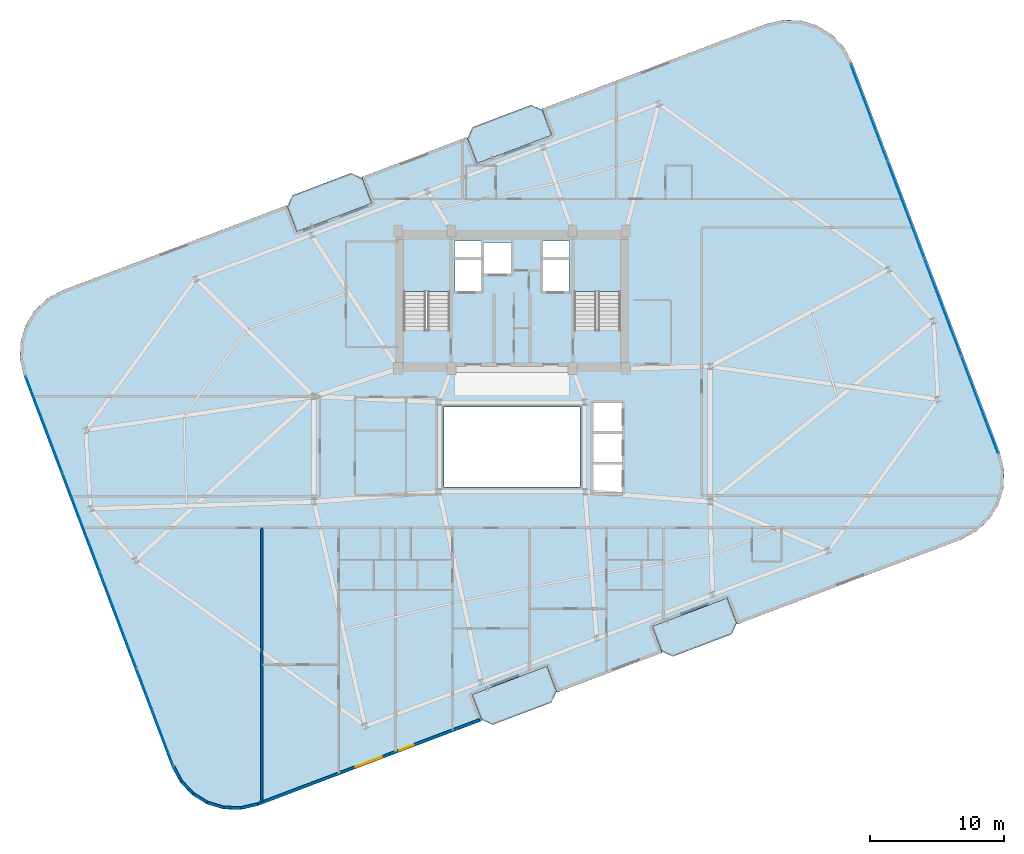
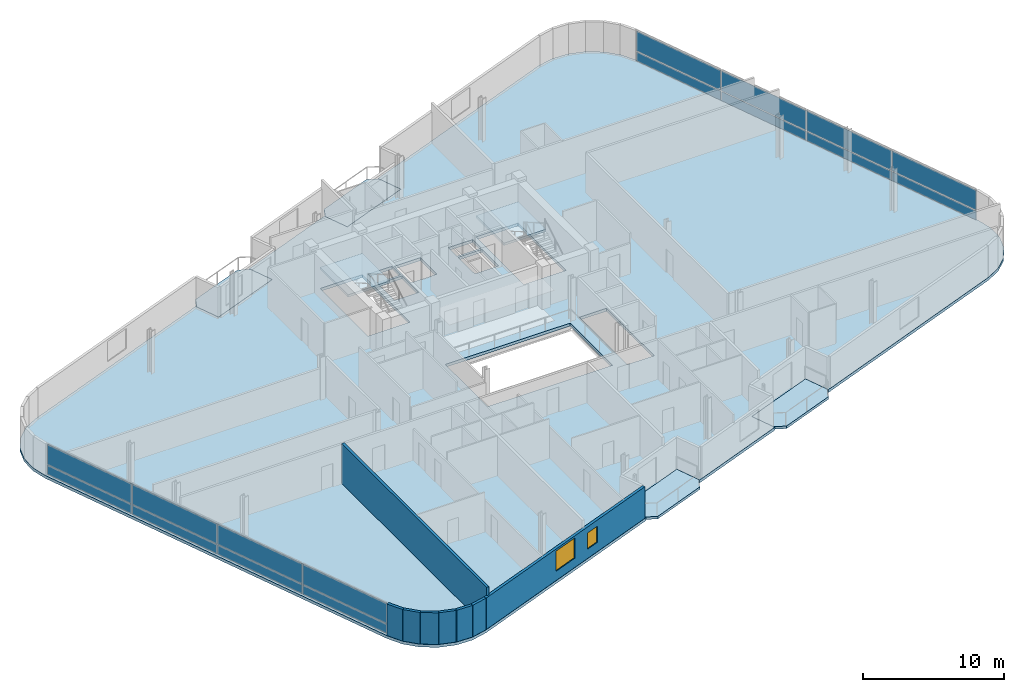
# One storey, part 13 of 20: 16 plates, 8 walls, 7 slabs, 2 windows, 2 openings, 4 elements without a shape of their own.
"""IFC4 building model written with IfcOpenShell, lengths in metres."""

from ifc_helpers import new_model, si_unit, direction, frame, frame_2d, origin, origin_2d, place, context, subcontext, project, spatial, polyline, rectangle, outline, extrude, source, transform, mapped, material, layer, layer_set, type_object, element, fill, aggregate, save


model = new_model("IFC4")

# Units and contexts
model_context = context("Model", 3, precision=1e-05, world=origin(), true_north=direction((0.0, 1.0)))
body_context = subcontext(model_context, "Body", "Model", "MODEL_VIEW")
ifc_project = project(units=[si_unit("LENGTHUNIT", "METRE"), si_unit("AREAUNIT", "SQUARE_METRE"), si_unit("VOLUMEUNIT", "CUBIC_METRE"), si_unit("PLANEANGLEUNIT", "RADIAN"), si_unit("MASSUNIT", "GRAM", prefix="KILO")], contexts=[model_context])

# Site, building, storey
site_placement = place(None, origin())
site = spatial("IfcSite", under=ifc_project, at=site_placement, CompositionType="ELEMENT")
building_placement = place(site_placement, origin())
building = spatial("IfcBuilding", under=site, at=building_placement, Name="Varnelok Gate Tower", CompositionType="ELEMENT")
storey_placement = place(building_placement, frame((0.0, 0.0, 216.39990234375)))
storey = spatial("IfcBuildingStorey", under=building, at=storey_placement, Name="L55", CompositionType="ELEMENT", Elevation=216.39990234375)

# Slabs
ifc_material_1 = material(Name="Concrete C45/55", Category="concrete")
ifc_layer_1 = layer(ifc_material_1, 0.219970703125)
ifc_layer_set_1 = layer_set([ifc_layer_1], Name="Concrete C45/55")
slab_type_1 = type_object("IfcSlabType", Name="SLB-BALC-220", PredefinedType="FLOOR", material=ifc_layer_set_1)
slab_1_placement = place(storey_placement, frame((0.0, 0.0, -0.219970703125)))
element("IfcSlab", 1, at=slab_1_placement, inside=storey, type_object=slab_type_1, Name="L55 South Hollow Balcony 1", PredefinedType="FLOOR", context=body_context, shape_type="SweptSolid", body=[
    extrude(outline(polyline([(36.9189453125, 2.5166015625), (37.757080078125, 2.138916015625), (42.152587890625, 3.802978515625), (42.530517578125, 4.640869140625), (41.822265625, 6.51123046875), (36.2109375, 4.386962890625), (36.9189453125, 2.5166015625)])), origin(), (0.0, 0.0, 1.0), 0.219970703125),
])
slab_2_placement = place(storey_placement, frame((0.0, 0.0, -0.219970703125)))
element("IfcSlab", 2, at=slab_2_placement, inside=storey, type_object=slab_type_1, Name="L55 South Hollow Balcony 2", PredefinedType="FLOOR", context=body_context, shape_type="SweptSolid", body=[
    extrude(outline(polyline([(50.38623046875, 7.614990234375), (51.22412109375, 7.2373046875), (55.619873046875, 8.9013671875), (55.99755859375, 9.739501953125), (55.289306640625, 11.60986328125), (49.677978515625, 9.485595703125), (50.38623046875, 7.614990234375)])), origin(), (0.0, 0.0, 1.0), 0.219970703125),
])
slab_3_placement = place(storey_placement, frame((0.0, 0.0, -0.219970703125)))
element("IfcSlab", 3, at=slab_3_placement, inside=storey, type_object=slab_type_1, Name="L55 North Hollow Balcony 1", PredefinedType="FLOOR", context=body_context, shape_type="SweptSolid", body=[
    extrude(outline(polyline([(23.110595703125, 38.990234375), (28.721923828125, 41.114501953125), (28.013916015625, 42.985107421875), (27.17578125, 43.36279296875), (22.7802734375, 41.698486328125), (22.402587890625, 40.860595703125), (23.110595703125, 38.990234375)])), origin(), (0.0, 0.0, 1.0), 0.219970703125),
])
slab_4_placement = place(storey_placement, frame((0.0, 0.0, -0.219970703125)))
element("IfcSlab", 4, at=slab_4_placement, inside=storey, type_object=slab_type_1, Name="L55 North Hollow Balcony 2", PredefinedType="FLOOR", context=body_context, shape_type="SweptSolid", body=[
    extrude(outline(polyline([(36.577880859375, 44.088623046875), (42.189208984375, 46.212890625), (41.48095703125, 48.08349609375), (40.642822265625, 48.461181640625), (36.247314453125, 46.797119140625), (35.86962890625, 45.958984375), (36.577880859375, 44.088623046875)])), origin(), (0.0, 0.0, 1.0), 0.219970703125),
])

# Stair, slab
ifc_material_2 = material(Name="Concrete C50/60", Category="concrete")
stair_type = type_object("IfcStairType", Name="STR-CORE-1650", PredefinedType="HALF_TURN_STAIR", material=ifc_material_2)
stair_1_placement = place(storey_placement, origin())
stair_1 = element("IfcStair", 5, at=stair_1_placement, inside=storey, type_object=stair_type, Name="L55 Exit Stair ST-1", PredefinedType="HALF_TURN_STAIR")
ifc_layer_2 = layer(ifc_material_1, 0.199951171875)
ifc_layer_set_2 = layer_set([ifc_layer_2], Name="Concrete C45/55")
slab_type_2 = type_object("IfcSlabType", Name="SLB-LAND-200", PredefinedType="LANDING", material=ifc_layer_set_2)
slab_5_placement = place(storey_placement, frame((0.0, 0.0, 1.650146484375)))
slab_5 = element("IfcSlab", 6, at=slab_5_placement, type_object=slab_type_2, Name="ST-1 landing 1", PredefinedType="LANDING", context=body_context, shape_type="SweptSolid", body=[
    extrude(outline(polyline([(34.550048828125, 34.5), (34.550048828125, 38.449951171875), (31.10009765625, 38.449951171875), (31.10009765625, 34.5), (34.550048828125, 34.5)])), origin(), (0.0, 0.0, 1.0), 0.199951171875),
])
aggregate(stair_1, [slab_5])

stair_2_placement = place(storey_placement, origin())
stair_2 = element("IfcStair", 7, at=stair_2_placement, inside=storey, type_object=stair_type, Name="L55 Exit Stair ST-2", PredefinedType="HALF_TURN_STAIR")
slab_6_placement = place(storey_placement, frame((0.0, 0.0, 1.650146484375)))
slab_6 = element("IfcSlab", 8, at=slab_6_placement, type_object=slab_type_2, Name="ST-2 landing 1", PredefinedType="LANDING", context=body_context, shape_type="SweptSolid", body=[
    extrude(outline(polyline([(47.300048828125, 34.5), (47.300048828125, 38.449951171875), (43.85009765625, 38.449951171875), (43.85009765625, 34.5), (47.300048828125, 34.5)])), origin(), (0.0, 0.0, 1.0), 0.199951171875),
])
aggregate(stair_2, [slab_6])

# Slab
ifc_layer_3 = layer(ifc_material_2, 0.25)
ifc_layer_set_3 = layer_set([ifc_layer_3], Name="Concrete C50/60")
slab_type_3 = type_object("IfcSlabType", Name="SLB-TYP-250", PredefinedType="FLOOR", material=ifc_layer_set_3)
slab_7_placement = place(storey_placement, frame((0.0, 0.0, -0.25)))
element("IfcSlab", 9, at=slab_7_placement, inside=storey, type_object=slab_type_3, Name="L55 Structural Floor Slab", PredefinedType="FLOOR", context=body_context, shape_type="SweptSolid", body=[
    extrude(outline(polyline([(13.767578125, -1.0087890625), (14.385009765625, -2.158935546875), (15.279296875, -3.10986328125), (16.388916015625, -3.796875), (17.638671875, -4.17333984375), (18.943359375, -4.213623046875), (20.214111328125, -3.914794921875), (29.8779296875, -0.256103515625), (36.954345703125, 2.423095703125), (36.2109375, 4.386962890625), (41.822265625, 6.51123046875), (42.56591796875, 4.54736328125), (50.421630859375, 7.521484375), (49.677978515625, 9.485595703125), (55.289306640625, 11.60986328125), (56.032958984375, 9.64599609375), (63.109619140625, 12.324951171875), (72.7734375, 15.983642578125), (73.92333984375, 16.60107421875), (74.874267578125, 17.495361328125), (75.561279296875, 18.60498046875), (75.93798828125, 19.854736328125), (75.97802734375, 21.159423828125), (75.67919921875, 22.429931640625), (64.632568359375, 51.60888671875), (64.014892578125, 52.7587890625), (63.120849609375, 53.709716796875), (62.010986328125, 54.39697265625), (60.76123046875, 54.7734375), (59.45654296875, 54.813720703125), (58.18603515625, 54.5146484375), (48.522216796875, 50.856201171875), (41.445556640625, 48.177001953125), (42.189208984375, 46.212890625), (36.577880859375, 44.088623046875), (35.834228515625, 46.052490234375), (27.978515625, 43.07861328125), (28.721923828125, 41.114501953125), (23.110595703125, 38.990234375), (22.3671875, 40.9541015625), (15.29052734375, 38.275146484375), (5.626708984375, 34.616455078125), (4.4765625, 33.998779296875), (3.525634765625, 33.104736328125), (2.838623046875, 31.9951171875), (2.462158203125, 30.7451171875), (2.422119140625, 29.440673828125), (2.720703125, 28.169921875), (13.767578125, -1.0087890625)]), holes=[polyline([(34.550048828125, 31.679931640625), (34.550048828125, 38.449951171875), (31.10009765625, 38.449951171875), (31.10009765625, 31.679931640625), (34.550048828125, 31.679931640625)]), polyline([(47.300048828125, 31.679931640625), (47.300048828125, 38.449951171875), (43.85009765625, 38.449951171875), (43.85009765625, 31.679931640625), (47.300048828125, 31.679931640625)]), polyline([(34.949951171875, 34.550048828125), (36.89990234375, 34.550048828125), (36.89990234375, 36.89990234375), (34.949951171875, 36.89990234375), (34.949951171875, 34.550048828125)]), polyline([(41.5, 34.550048828125), (43.449951171875, 34.550048828125), (43.449951171875, 36.89990234375), (41.5, 36.89990234375), (41.5, 34.550048828125)]), polyline([(37.050048828125, 35.85009765625), (39.14990234375, 35.85009765625), (39.14990234375, 38.199951171875), (37.050048828125, 38.199951171875), (37.050048828125, 35.85009765625)]), polyline([(45.25, 19.449951171875), (47.449951171875, 19.449951171875), (47.449951171875, 26.199951171875), (45.25, 26.199951171875), (45.25, 19.449951171875)]), polyline([(34.919921875, 37.080078125), (36.89990234375, 37.080078125), (36.89990234375, 38.280029296875), (34.919921875, 38.280029296875), (34.919921875, 37.080078125)]), polyline([(41.5, 37.080078125), (43.47998046875, 37.080078125), (43.47998046875, 38.280029296875), (41.5, 38.280029296875), (41.5, 37.080078125)]), polyline([(34.10009765625, 19.89990234375), (44.300048828125, 19.89990234375), (44.300048828125, 25.89990234375), (34.10009765625, 25.89990234375), (34.10009765625, 19.89990234375)])]), origin(), (0.0, 0.0, 1.0), 0.25),
])

# Curtain wall, plates
ifc_material_3 = material(Name="Anodized Aluminum Alloy 6063-T6", Category="aluminium")
ifc_layer_4 = layer(ifc_material_3, 0.179931640625)
ifc_layer_set_4 = layer_set([ifc_layer_4], Name="Anodized Aluminum Alloy 6063-T6")
curtain_wall_type = type_object("IfcCurtainWallType", Name="CW4-RESIDENCE-VISION", PredefinedType="USERDEFINED", material=ifc_layer_set_4)
curtain_wall_1_placement = place(storey_placement, origin())
curtain_wall_1 = element("IfcCurtainWall", 10, at=curtain_wall_1_placement, inside=storey, type_object=curtain_wall_type, Name="L55 West End Vision Curtain Wall", ObjectType="UNITISED CURTAIN WALL", PredefinedType="USERDEFINED")
ifc_material_4 = material(Name="Low-E Laminated Double Glazing IGU", Category="glass")
ifc_layer_5 = layer(ifc_material_4, 0.035888671875)
ifc_layer_set_5 = layer_set([ifc_layer_5], Name="Low-E Laminated Double Glazing IGU")
plate_type = type_object("IfcPlateType", Name="CW-PNL-IGU36", PredefinedType="CURTAIN_PANEL", material=ifc_layer_set_5)
shared_shape_1 = source(origin(), body_context, "Body", "SweptSolid", [
    extrude(rectangle(XDim=7.6875, YDim=0.035888671875, at=origin_2d()), origin(), (0.0, 0.0, 1.0), 0.78759765625),
])
plate_1_placement = place(storey_placement, frame((12.510986328125, 2.70556640625, 0.074951171875), z_axis=(0.0, 0.0, 1.0), x_axis=(-0.354063042079, 0.935221557832, 0.0)))
plate_1 = element("IfcPlate", 11, at=plate_1_placement, type_object=plate_type, Name="CW4 panel 1.1", PredefinedType="CURTAIN_PANEL", context=body_context, shape_type="MappedRepresentation", body=[
    mapped(shared_shape_1, transform((0.0, 0.0, 0.0), scale=1.0)),
])
plate_2_placement = place(storey_placement, frame((4.2392578125, 24.5546875, 0.074951171875), z_axis=(0.0, 0.0, 1.0), x_axis=(-0.354063042079, 0.935221557832, 0.0)))
plate_2 = element("IfcPlate", 12, at=plate_2_placement, type_object=plate_type, Name="CW4 panel 4.1", PredefinedType="CURTAIN_PANEL", context=body_context, shape_type="MappedRepresentation", body=[
    mapped(shared_shape_1, transform((0.0, 0.0, 0.0), scale=1.0)),
])

curtain_wall_2_placement = place(storey_placement, origin())
curtain_wall_2 = element("IfcCurtainWall", 13, at=curtain_wall_2_placement, inside=storey, type_object=curtain_wall_type, Name="L55 East End Vision Curtain Wall", ObjectType="UNITISED CURTAIN WALL", PredefinedType="USERDEFINED")
plate_3_placement = place(storey_placement, frame((65.888916015625, 47.89453125, 0.074951171875), z_axis=(0.0, 0.0, 1.0), x_axis=(0.354063042079, -0.935221557832, 0.0)))
plate_3 = element("IfcPlate", 14, at=plate_3_placement, type_object=plate_type, Name="CW4 panel 1.1", PredefinedType="CURTAIN_PANEL", context=body_context, shape_type="MappedRepresentation", body=[
    mapped(shared_shape_1, transform((0.0, 0.0, 0.0), scale=1.0)),
])
plate_4_placement = place(storey_placement, frame((74.160888671875, 26.04541015625, 0.074951171875), z_axis=(0.0, 0.0, 1.0), x_axis=(0.354063042079, -0.935221557832, 0.0)))
plate_4 = element("IfcPlate", 15, at=plate_4_placement, type_object=plate_type, Name="CW4 panel 4.1", PredefinedType="CURTAIN_PANEL", context=body_context, shape_type="MappedRepresentation", body=[
    mapped(shared_shape_1, transform((0.0, 0.0, 0.0), scale=1.0)),
])

# Plate
shared_shape_2 = source(origin(), body_context, "Body", "SweptSolid", [
    extrude(rectangle(XDim=7.6875, YDim=0.035888671875, at=origin_2d()), origin(), (0.0, 0.0, 1.0), 1.717529296875),
])
plate_5_placement = place(storey_placement, frame((12.510986328125, 2.70556640625, 0.9375), z_axis=(0.0, 0.0, 1.0), x_axis=(-0.354063042079, 0.935221557832, 0.0)))
plate_5 = element("IfcPlate", 16, at=plate_5_placement, type_object=plate_type, Name="CW4 panel 1.2", PredefinedType="CURTAIN_PANEL", context=body_context, shape_type="MappedRepresentation", body=[
    mapped(shared_shape_2, transform((0.0, 0.0, 0.0), scale=1.0)),
])

plate_6_placement = place(storey_placement, frame((4.2392578125, 24.5546875, 0.9375), z_axis=(0.0, 0.0, 1.0), x_axis=(-0.354063042079, 0.935221557832, 0.0)))
plate_6 = element("IfcPlate", 17, at=plate_6_placement, type_object=plate_type, Name="CW4 panel 4.2", PredefinedType="CURTAIN_PANEL", context=body_context, shape_type="MappedRepresentation", body=[
    mapped(shared_shape_2, transform((0.0, 0.0, 0.0), scale=1.0)),
])

plate_7_placement = place(storey_placement, frame((65.888916015625, 47.89453125, 0.9375), z_axis=(0.0, 0.0, 1.0), x_axis=(0.354063042079, -0.935221557832, 0.0)))
plate_7 = element("IfcPlate", 18, at=plate_7_placement, type_object=plate_type, Name="CW4 panel 1.2", PredefinedType="CURTAIN_PANEL", context=body_context, shape_type="MappedRepresentation", body=[
    mapped(shared_shape_2, transform((0.0, 0.0, 0.0), scale=1.0)),
])

plate_8_placement = place(storey_placement, frame((74.160888671875, 26.04541015625, 0.9375), z_axis=(0.0, 0.0, 1.0), x_axis=(0.354063042079, -0.935221557832, 0.0)))
plate_8 = element("IfcPlate", 19, at=plate_8_placement, type_object=plate_type, Name="CW4 panel 4.2", PredefinedType="CURTAIN_PANEL", context=body_context, shape_type="MappedRepresentation", body=[
    mapped(shared_shape_2, transform((0.0, 0.0, 0.0), scale=1.0)),
])

shared_shape_3 = source(origin(), body_context, "Body", "SweptSolid", [
    extrude(rectangle(XDim=7.72509765625, YDim=0.035888671875, at=origin_2d()), origin(), (0.0, 0.0, 1.0), 0.78759765625),
])
plate_9_placement = place(storey_placement, frame((9.755859375, 9.982666015625, 0.074951171875), z_axis=(0.0, 0.0, 1.0), x_axis=(-0.354063042079, 0.935221557832, 0.0)))
plate_9 = element("IfcPlate", 20, at=plate_9_placement, type_object=plate_type, Name="CW4 panel 2.1", PredefinedType="CURTAIN_PANEL", context=body_context, shape_type="MappedRepresentation", body=[
    mapped(shared_shape_3, transform((0.0, 0.0, 0.0), scale=1.0)),
])

plate_10_placement = place(storey_placement, frame((6.994140625, 17.277587890625, 0.074951171875), z_axis=(0.0, 0.0, 1.0), x_axis=(-0.354063042079, 0.935221557832, 0.0)))
plate_10 = element("IfcPlate", 21, at=plate_10_placement, type_object=plate_type, Name="CW4 panel 3.1", PredefinedType="CURTAIN_PANEL", context=body_context, shape_type="MappedRepresentation", body=[
    mapped(shared_shape_3, transform((0.0, 0.0, 0.0), scale=1.0)),
])

plate_11_placement = place(storey_placement, frame((68.64404296875, 40.6171875, 0.074951171875), z_axis=(0.0, 0.0, 1.0), x_axis=(0.354063042079, -0.935221557832, 0.0)))
plate_11 = element("IfcPlate", 22, at=plate_11_placement, type_object=plate_type, Name="CW4 panel 2.1", PredefinedType="CURTAIN_PANEL", context=body_context, shape_type="MappedRepresentation", body=[
    mapped(shared_shape_3, transform((0.0, 0.0, 0.0), scale=1.0)),
])

plate_12_placement = place(storey_placement, frame((71.40576171875, 33.322509765625, 0.074951171875), z_axis=(0.0, 0.0, 1.0), x_axis=(0.354063042079, -0.935221557832, 0.0)))
plate_12 = element("IfcPlate", 23, at=plate_12_placement, type_object=plate_type, Name="CW4 panel 3.1", PredefinedType="CURTAIN_PANEL", context=body_context, shape_type="MappedRepresentation", body=[
    mapped(shared_shape_3, transform((0.0, 0.0, 0.0), scale=1.0)),
])

shared_shape_4 = source(origin(), body_context, "Body", "SweptSolid", [
    extrude(rectangle(XDim=7.72509765625, YDim=0.035888671875, at=origin_2d()), origin(), (0.0, 0.0, 1.0), 1.717529296875),
])
plate_13_placement = place(storey_placement, frame((9.755859375, 9.982666015625, 0.9375), z_axis=(0.0, 0.0, 1.0), x_axis=(-0.354063042079, 0.935221557832, 0.0)))
plate_13 = element("IfcPlate", 24, at=plate_13_placement, type_object=plate_type, Name="CW4 panel 2.2", PredefinedType="CURTAIN_PANEL", context=body_context, shape_type="MappedRepresentation", body=[
    mapped(shared_shape_4, transform((0.0, 0.0, 0.0), scale=1.0)),
])

plate_14_placement = place(storey_placement, frame((6.994140625, 17.277587890625, 0.9375), z_axis=(0.0, 0.0, 1.0), x_axis=(-0.354063042079, 0.935221557832, 0.0)))
plate_14 = element("IfcPlate", 25, at=plate_14_placement, type_object=plate_type, Name="CW4 panel 3.2", PredefinedType="CURTAIN_PANEL", context=body_context, shape_type="MappedRepresentation", body=[
    mapped(shared_shape_4, transform((0.0, 0.0, 0.0), scale=1.0)),
])

aggregate(curtain_wall_1, [plate_1, plate_5, plate_9, plate_13, plate_10, plate_14, plate_2, plate_6])

plate_15_placement = place(storey_placement, frame((68.64404296875, 40.6171875, 0.9375), z_axis=(0.0, 0.0, 1.0), x_axis=(0.354063042079, -0.935221557832, 0.0)))
plate_15 = element("IfcPlate", 26, at=plate_15_placement, type_object=plate_type, Name="CW4 panel 2.2", PredefinedType="CURTAIN_PANEL", context=body_context, shape_type="MappedRepresentation", body=[
    mapped(shared_shape_4, transform((0.0, 0.0, 0.0), scale=1.0)),
])

plate_16_placement = place(storey_placement, frame((71.40576171875, 33.322509765625, 0.9375), z_axis=(0.0, 0.0, 1.0), x_axis=(0.354063042079, -0.935221557832, 0.0)))
plate_16 = element("IfcPlate", 27, at=plate_16_placement, type_object=plate_type, Name="CW4 panel 3.2", PredefinedType="CURTAIN_PANEL", context=body_context, shape_type="MappedRepresentation", body=[
    mapped(shared_shape_4, transform((0.0, 0.0, 0.0), scale=1.0)),
])

aggregate(curtain_wall_2, [plate_3, plate_7, plate_11, plate_15, plate_12, plate_16, plate_4, plate_8])

# Walls
ifc_layer_6 = layer(ifc_material_1, 0.219970703125)
ifc_layer_set_6 = layer_set([ifc_layer_6], Name="Concrete C45/55")
wall_type_1 = type_object("IfcWallType", Name="EW-BALC-220", PredefinedType="SOLIDWALL", material=ifc_layer_set_6)
wall_1_placement = place(storey_placement, frame((13.880615234375, -0.966064453125, 0.0), z_axis=(0.0, 0.0, 1.0), x_axis=(0.473242342135, -0.88093228208, 0.0)))
element("IfcWall", 28, at=wall_1_placement, inside=storey, type_object=wall_type_1, Name="L55 Perimeter Facade Closure Wall 1", PredefinedType="SOLIDWALL", context=body_context, shape_type="SweptSolid", body=[
    extrude(rectangle(XDim=1.273681640625, YDim=0.219970703125, at=frame_2d((0.63671875, 0.0))), origin(), (0.0, 0.0, 1.0), 2.72998046875),
])
for number, where, z_axis, x_axis, name in (
    (29, (14.50048828125, -2.1064453125, 0.0), (0.0, 0.0, 1.0), (0.684968140504, -0.728573020702, 0.0), "L55 Perimeter Facade Closure Wall 2"),
    (30, (15.377197265625, -3.029296875, 0.0), (0.0, 0.0, 1.0), (0.850231806078, -0.526408468713, 0.0), "L55 Perimeter Facade Closure Wall 3"),
    (31, (16.462646484375, -3.69384765625, 0.0), (0.0, 0.0, 1.0), (0.957508189204, -0.288406081086, 0.0), "L55 Perimeter Facade Closure Wall 4"),
):
    element("IfcWall", number, at=place(storey_placement, frame(where, z_axis=z_axis, x_axis=x_axis)), inside=storey, type_object=wall_type_1, Name=name, PredefinedType="SOLIDWALL", context=body_context, shape_type="SweptSolid", body=[
        extrude(rectangle(XDim=1.24853515625, YDim=0.219970703125, at=frame_2d((0.624267578125, 0.0))), origin(), (0.0, 0.0, 1.0), 2.72998046875),
    ])
wall_2_placement = place(storey_placement, frame((17.68310546875, -4.0546875, 0.0), z_axis=(0.0, 0.0, 1.0), x_axis=(0.999522886512, -0.030886879732, 0.0)))
element("IfcWall", 32, at=wall_2_placement, inside=storey, type_object=wall_type_1, Name="L55 Perimeter Facade Closure Wall 5", PredefinedType="SOLIDWALL", context=body_context, shape_type="SweptSolid", body=[
    extrude(rectangle(XDim=1.248779296875, YDim=0.219970703125, at=frame_2d((0.62451171875, 0.0))), origin(), (0.0, 0.0, 1.0), 2.72998046875),
])
wall_3_placement = place(storey_placement, frame((18.95556640625, -4.08740234375, 0.0), z_axis=(0.0, 0.0, 1.0), x_axis=(0.973463008152, 0.228844426981, 0.0)))
element("IfcWall", 33, at=wall_3_placement, inside=storey, type_object=wall_type_1, Name="L55 Perimeter Facade Closure Wall 6", PredefinedType="SOLIDWALL", context=body_context, shape_type="SweptSolid", body=[
    extrude(rectangle(XDim=1.2568359375, YDim=0.219970703125, at=frame_2d((0.62841796875, 0.0))), origin(), (0.0, 0.0, 1.0), 2.72998046875),
])

# Wall, openings, windows
wall_4_placement = place(storey_placement, frame((20.2021484375, -3.790771484375, 0.0), z_axis=(0.0, 0.0, 1.0), x_axis=(0.935225574232, 0.354052432984, 0.0)))
wall_4 = element("IfcWall", 34, at=wall_4_placement, inside=storey, type_object=wall_type_1, Name="L55 Perimeter Facade Closure Wall 7", PredefinedType="SOLIDWALL", context=body_context, shape_type="SweptSolid", body=[
    extrude(rectangle(XDim=17.747314453125, YDim=0.219970703125, at=frame_2d((8.87353515625, 0.0))), origin(), (0.0, 0.0, 1.0), 2.72998046875),
])
opening_1_placement = place(wall_4_placement, frame((7.823486328125, 0.0, 0.800048828125)))
opening_1 = element("IfcOpeningElement", 35, at=opening_1_placement, cuts=wall_4, Name="Opening WN4", PredefinedType="OPENING", context=body_context, shape_type="SweptSolid", body=[
    extrude(rectangle(XDim=2.10009765625, YDim=1.75, at=frame_2d((1.050048828125, 0.875))), frame((0.0, 0.119873046875, 0.0), z_axis=(0.0, -1.0, 0.0), x_axis=(1.0, 0.0, 0.0)), (0.0, 0.0, 1.0), 0.239990234375),
])
opening_2_placement = place(wall_4_placement, frame((11.298095703125, 0.0, 0.800048828125)))
opening_2 = element("IfcOpeningElement", 36, at=opening_2_placement, cuts=wall_4, Name="Opening WN8", PredefinedType="OPENING", context=body_context, shape_type="SweptSolid", body=[
    extrude(rectangle(XDim=1.14990234375, YDim=1.39990234375, at=frame_2d((0.574951171875, 0.699951171875))), frame((0.0, 0.119873046875, 0.0), z_axis=(0.0, -1.0, 0.0), x_axis=(1.0, 0.0, 0.0)), (0.0, 0.0, 1.0), 0.239990234375),
])
window_type_1 = type_object("IfcWindowType", Name="WN-BED-1150", PartitioningType="SINGLE_PANEL", PredefinedType="WINDOW", material=ifc_material_4)
window_1_placement = place(opening_2_placement, origin())
window_1 = element("IfcWindow", 37, at=window_1_placement, inside=storey, type_object=window_type_1, Name="L55 Bedroom Vision Window 38", OverallHeight=1.39990234375, OverallWidth=1.14990234375, PartitioningType="SINGLE_PANEL", PredefinedType="WINDOW", context=body_context, shape_type="SweptSolid", body=[
    extrude(rectangle(XDim=1.14990234375, YDim=1.39990234375, at=frame_2d((0.574951171875, 0.699951171875))), frame((0.0, 0.030029296875, 0.0), z_axis=(0.0, -1.0, 0.0), x_axis=(1.0, 0.0, 0.0)), (0.0, 0.0, 1.0), 0.06005859375),
])
fill(opening_2, window_1)
window_type_2 = type_object("IfcWindowType", Name="WN-SUI-2100", PartitioningType="SINGLE_PANEL", PredefinedType="WINDOW", material=ifc_material_4)
window_2_placement = place(opening_1_placement, origin())
window_2 = element("IfcWindow", 38, at=window_2_placement, inside=storey, type_object=window_type_2, Name="L55 Perimeter Vision Window 7", OverallHeight=1.75, OverallWidth=2.10009765625, PartitioningType="SINGLE_PANEL", PredefinedType="WINDOW", context=body_context, shape_type="SweptSolid", body=[
    extrude(rectangle(XDim=2.10009765625, YDim=1.75, at=frame_2d((1.050048828125, 0.875))), frame((0.0, 0.030029296875, 0.0), z_axis=(0.0, -1.0, 0.0), x_axis=(1.0, 0.0, 0.0)), (0.0, 0.0, 1.0), 0.06005859375),
])
fill(opening_1, window_2)

# Wall
ifc_material_5 = material(Name="Gypsum Plasterboard Acoustic Partition", Category="gypsum")
ifc_layer_7 = layer(ifc_material_5, 0.205078125)
ifc_layer_set_7 = layer_set([ifc_layer_7], Name="Gypsum Plasterboard Acoustic Partition")
wall_type_2 = type_object("IfcWallType", Name="PW-PARTY-200", PredefinedType="PARTITIONING", material=ifc_layer_set_7)
wall_5_placement = place(storey_placement, frame((20.5, -3.65673828125, 0.0), z_axis=(0.0, 0.0, 1.0), x_axis=(0.0, 1.0, 0.0)))
element("IfcWall", 39, at=wall_5_placement, inside=storey, type_object=wall_type_2, Name="L55 South Party Wall 1", PredefinedType="PARTITIONING", context=body_context, shape_type="SweptSolid", body=[
    extrude(rectangle(XDim=20.5068359375, YDim=0.205078125, at=frame_2d((10.25341796875, 0.0))), origin(), (0.0, 0.0, 1.0), 3.4501953125),
])

save(model, "model.ifc")
